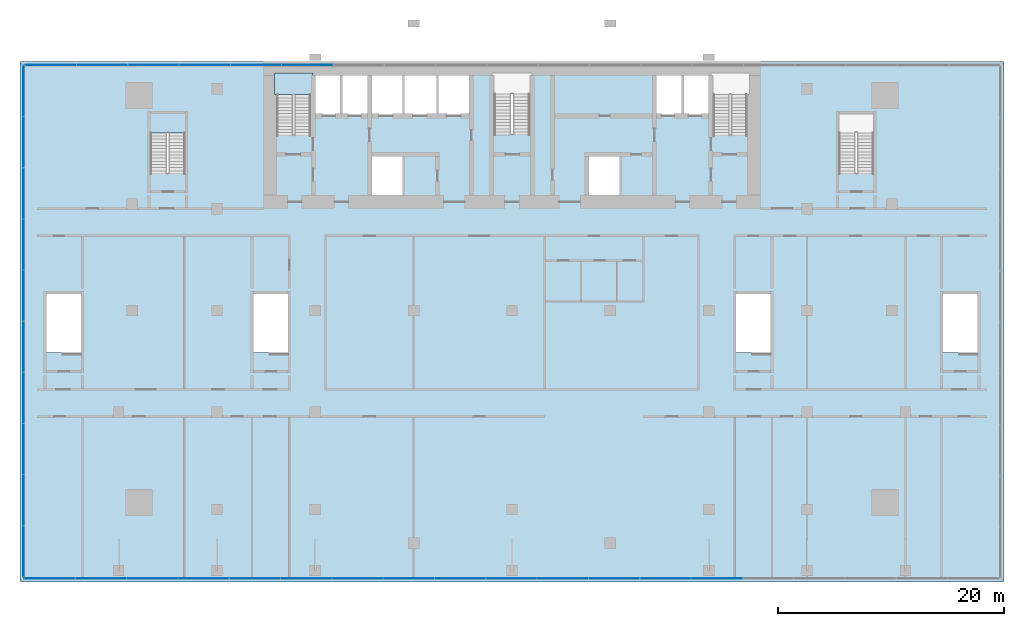
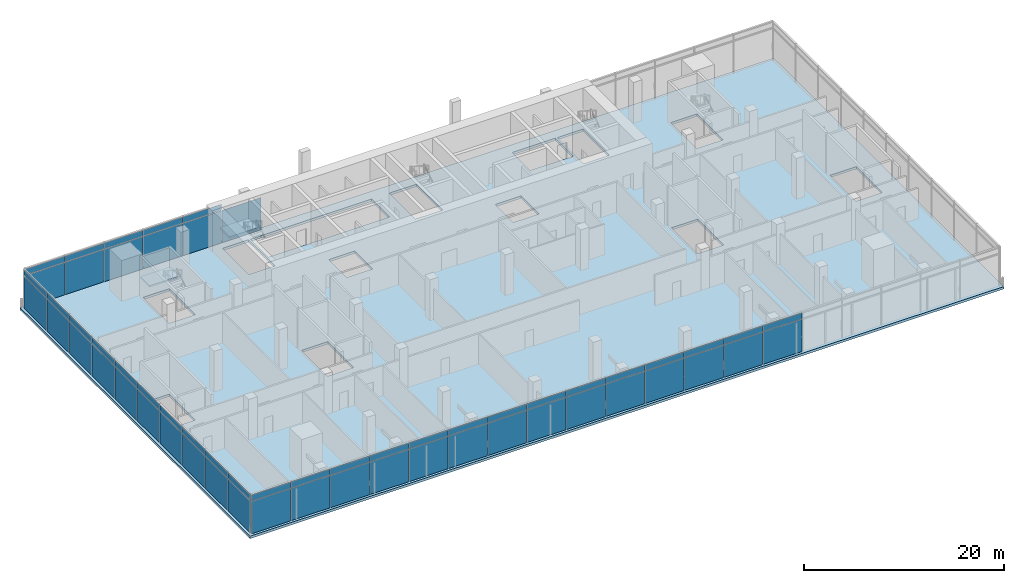
# One storey, part 9 of 17: 59 plates, 3 slabs, 5 elements without a shape of their own.
"""IFC4 building model written with IfcOpenShell, lengths in metres."""

import ifcopenshell
import ifcopenshell.guid

model = None  # the IFC model being written
_history = None  # IfcOwnerHistory: only IFC2X3 demands one
_inside = {}  # id of a spatial element -> (the spatial element, [elements in it])
_under = {}  # id of a project, library or spatial element -> (it, [spatial elements below it])
_declared = {}  # id of a project -> (the project, [libraries it declares])
_typed = {}  # id of a type object -> (the type object, [elements of that type])
_made_of = {}  # id of a material, layer set ... -> (it, [elements and type objects made of it])


def new_model(schema):
    """Start an empty IFC model of exactly this schema.

    Asked for "IFC4X3", IfcOpenShell would pick the latest addendum, in which some entities
    have other attributes; the version numbers below select the first issue.
    IFC2X3 requires an IfcOwnerHistory on every rooted entity: one is made here for all.
    """
    global model, _history
    if schema == "IFC4X3":
        model = ifcopenshell.file(schema_version=(4, 3, 0, 0))
    else:
        model = ifcopenshell.file(schema=schema)
    _inside.clear()
    _under.clear()
    _declared.clear()
    _typed.clear()
    _made_of.clear()
    _history = None
    if model.schema == "IFC2X3":
        org = make("IfcOrganization", Name="unknown")
        user = make(
            "IfcPersonAndOrganization",
            ThePerson=make("IfcPerson", FamilyName="unknown"),
            TheOrganization=org,
        )
        app = make(
            "IfcApplication",
            ApplicationDeveloper=org,
            Version="unknown",
            ApplicationFullName="unknown",
            ApplicationIdentifier="unknown",
        )
        _history = make(
            "IfcOwnerHistory",
            OwningUser=user,
            OwningApplication=app,
            ChangeAction="ADDED",
            CreationDate=0,
        )
    return model


def make(cls, **values):
    """One entity of the class cls with the attributes given. An attribute that is None is left unset."""
    return model.create_entity(
        cls, **{name: value for name, value in values.items() if value is not None}
    )


def rooted(cls, **values):
    """An entity with a GlobalId (a new one), such as an element, a storey or a relation."""
    return make(cls, GlobalId=ifcopenshell.guid.new(), OwnerHistory=_history, **values)


def si_unit(unit_type, name, prefix=None):
    """IfcSIUnit, for example si_unit("LENGTHUNIT", "METRE", prefix="MILLI")."""
    return make("IfcSIUnit", UnitType=unit_type, Prefix=prefix, Name=name)


def assignment(units):
    """IfcUnitAssignment: the units of a project."""
    return None if units is None else make("IfcUnitAssignment", Units=units)


def point(xyz):
    """IfcCartesianPoint."""
    return None if xyz is None else make("IfcCartesianPoint", Coordinates=xyz)


def direction(xyz):
    """IfcDirection."""
    return None if xyz is None else make("IfcDirection", DirectionRatios=xyz)


def frame(location, z_axis=None, x_axis=None):
    """IfcAxis2Placement3D, a coordinate frame: its origin and axes. An axis left out is left unset."""
    return make(
        "IfcAxis2Placement3D",
        Location=point(location),
        Axis=direction(z_axis),
        RefDirection=direction(x_axis),
    )


def frame_2d(location, x_axis=None):
    """IfcAxis2Placement2D, a coordinate frame in the plane: its origin and x axis."""
    return make(
        "IfcAxis2Placement2D", Location=point(location), RefDirection=direction(x_axis)
    )


def origin():
    """The frame at (0, 0, 0) with its axes left unset."""
    return frame((0.0, 0.0, 0.0))


def origin_2d():
    """The frame at (0, 0) in the plane with its x axis left unset."""
    return frame_2d((0.0, 0.0))


def place(relative_to, where):
    """IfcLocalPlacement: puts the frame where relative to a parent placement (None: the world)."""
    return make(
        "IfcLocalPlacement", PlacementRelTo=relative_to, RelativePlacement=where
    )


def context(
    kind, dimensions, precision=None, world=None, true_north=None, identifier=None
):
    """IfcGeometricRepresentationContext, for example the 3D "Model" context."""
    return make(
        "IfcGeometricRepresentationContext",
        ContextIdentifier=identifier,
        ContextType=kind,
        CoordinateSpaceDimension=dimensions,
        Precision=precision,
        WorldCoordinateSystem=world,
        TrueNorth=true_north,
    )


def subcontext(parent, identifier, kind, view, scale=None):
    """IfcGeometricRepresentationSubContext, for example "Body" below "Model"."""
    return make(
        "IfcGeometricRepresentationSubContext",
        ContextIdentifier=identifier,
        ContextType=kind,
        ParentContext=parent,
        TargetScale=scale,
        TargetView=view,
    )


def project(units=None, contexts=None):
    """IfcProject with its units and contexts."""
    return rooted(
        "IfcProject",
        Name="project",
        RepresentationContexts=contexts,
        UnitsInContext=assignment(units),
    )


def spatial(cls, under=None, at=None, **own):
    """A site, building, storey or space (cls), placed at a placement, below another one or the project."""
    s = rooted(cls, ObjectPlacement=at, **own)
    if under is not None:
        _under.setdefault(under.id(), (under, []))[1].append(s)
    return s


def polyline(points):
    """IfcPolyline through the points."""
    return make("IfcPolyline", Points=[point(p) for p in points])


def profile(cls, at=None, kind="AREA", **sizes):
    """A parametric profile (cls). Its sizes go by their IFC names, for example OverallWidth=200.0."""
    return make(cls, ProfileType=kind, Position=at, **sizes)


def rectangle(**sizes):
    """IfcRectangleProfileDef."""
    return profile("IfcRectangleProfileDef", **sizes)


def outline(outer, holes=None, kind="AREA"):
    """IfcArbitraryClosedProfileDef: a profile drawn as a closed curve; with holes, ...WithVoids."""
    if holes is None:
        return make("IfcArbitraryClosedProfileDef", ProfileType=kind, OuterCurve=outer)
    return make(
        "IfcArbitraryProfileDefWithVoids",
        ProfileType=kind,
        OuterCurve=outer,
        InnerCurves=holes,
    )


def extrude(swept, where, along, depth):
    """IfcExtrudedAreaSolid: the profile swept, set in the frame where, extruded along a direction by depth."""
    return make(
        "IfcExtrudedAreaSolid",
        SweptArea=swept,
        Position=where,
        ExtrudedDirection=direction(along),
        Depth=depth,
    )


def shape(context_of_items, identifier, shape_type, items):
    """IfcShapeRepresentation: the items that make up one representation, for example the "Body"."""
    return make(
        "IfcShapeRepresentation",
        ContextOfItems=context_of_items,
        RepresentationIdentifier=identifier,
        RepresentationType=shape_type,
        Items=items,
    )


def material(Name=None, Category=None):
    """IfcMaterial."""
    return make("IfcMaterial", Name=Name, Category=Category)


def layer(
    of_material, thickness, ventilated=None, Name=None, Category=None, Priority=None
):
    """IfcMaterialLayer: one layer of a wall or slab, of a material (None: an air gap)."""
    return make(
        "IfcMaterialLayer",
        Material=of_material,
        LayerThickness=thickness,
        IsVentilated=ventilated,
        Name=Name,
        Category=Category,
        Priority=Priority,
    )


def layer_set(layers, Name=None):
    """IfcMaterialLayerSet."""
    return make("IfcMaterialLayerSet", MaterialLayers=layers, LayerSetName=Name)


def made_of(thing, what):
    """Note that an element or type object is made of a material, layer set ...; save() writes the relation."""
    if what is not None:
        _made_of.setdefault(what.id(), (what, []))[1].append(thing)
    return thing


def type_object(cls, material=None, **own):
    """A type object (cls), such as IfcWallType, which elements share."""
    return made_of(rooted(cls, **own), material)


def element(
    cls,
    number,
    at=None,
    inside=None,
    cuts=None,
    type_object=None,
    material=None,
    context=None,
    identifier="Body",
    shape_type=None,
    held_by="IfcProductDefinitionShape",
    body=None,
    shapes=None,
    **own,
):
    """One element of the class cls, such as IfcWall. Its Tag is "e" and its number.

    at: its placement. inside: the storey or other place that contains it. cuts: it is an
    opening in that element (IfcRelVoidsElement). A single representation is given by context,
    identifier, shape_type and body (its items); several are given by shapes. held_by: the class
    of the entity that holds the representations. save() writes the other relations.
    """
    e = rooted(cls, Tag="e%d" % number, ObjectPlacement=at, **own)
    if body is not None:
        shapes = [shape(context, identifier, shape_type, body)]
    if shapes is not None:
        e.Representation = make(held_by, Representations=shapes)
    if inside is not None:
        _inside.setdefault(inside.id(), (inside, []))[1].append(e)
    if cuts is not None:
        rooted(
            "IfcRelVoidsElement", RelatingBuildingElement=cuts, RelatedOpeningElement=e
        )
    if type_object is not None:
        _typed.setdefault(type_object.id(), (type_object, []))[1].append(e)
    return made_of(e, material)


def aggregate(whole, parts):
    """IfcRelAggregates: a whole, such as a stair, and the parts it consists of."""
    return rooted("IfcRelAggregates", RelatingObject=whole, RelatedObjects=parts)


def save(model, path):
    """Write the relations noted so far, then the file.

    IfcRelAggregates (storeys below a building ...), IfcRelContainedInSpatialStructure (elements
    in a storey), IfcRelDefinesByType, IfcRelAssociatesMaterial and IfcRelDeclares: one each for
    every whole, place, type object, material and project.
    """
    for whole, parts in _under.values():
        aggregate(whole, parts)
    for where, things in _inside.values():
        rooted(
            "IfcRelContainedInSpatialStructure",
            RelatedElements=things,
            RelatingStructure=where,
        )
    for kind, things in _typed.values():
        rooted("IfcRelDefinesByType", RelatedObjects=things, RelatingType=kind)
    for what, things in _made_of.values():
        rooted("IfcRelAssociatesMaterial", RelatedObjects=things, RelatingMaterial=what)
    for by, libraries in _declared.values():
        rooted("IfcRelDeclares", RelatingContext=by, RelatedDefinitions=libraries)
    model.write(path)


model = new_model("IFC4")

# Units and contexts
model_context = context("Model", 3, precision=1e-05, world=origin(), true_north=direction((0.0, 1.0)))
body_context = subcontext(model_context, "Body", "Model", "MODEL_VIEW")
ifc_project = project(units=[si_unit("LENGTHUNIT", "METRE"), si_unit("AREAUNIT", "SQUARE_METRE"), si_unit("VOLUMEUNIT", "CUBIC_METRE"), si_unit("PLANEANGLEUNIT", "RADIAN"), si_unit("MASSUNIT", "GRAM", prefix="KILO")], contexts=[model_context])

# Site, building, storey
site_placement = place(None, origin())
site = spatial("IfcSite", under=ifc_project, at=site_placement, CompositionType="ELEMENT")
building_placement = place(site_placement, origin())
building = spatial("IfcBuilding", under=site, at=building_placement, Name="Bicima Exchange Tower", CompositionType="ELEMENT")
storey_placement = place(building_placement, frame((0.0, 0.0, 30.0)))
storey = spatial("IfcBuildingStorey", under=building, at=storey_placement, Name="L05", CompositionType="ELEMENT", Elevation=30.0)

# Curtain wall, plates
ifc_material_1 = material(Name="Anodised bronze aluminium", Category="aluminium")
curtain_wall_type = type_object("IfcCurtainWallType", Name="Lobby glazing", PredefinedType="NOTDEFINED", material=ifc_material_1)
curtain_wall_1_placement = place(storey_placement, origin())
curtain_wall_1 = element("IfcCurtainWall", 1, at=curtain_wall_1_placement, inside=storey, type_object=curtain_wall_type, Name="Podium glazing L05 south 1", PredefinedType="NOTDEFINED")
ifc_material_2 = material(Name="Clear low-iron glass", Category="glass")
ifc_layer_1 = layer(ifc_material_2, 0.035888671875)
ifc_layer_set_1 = layer_set([ifc_layer_1], Name="Clear low-iron glass")
plate_type = type_object("IfcPlateType", Name="Lobby glazing glass panel 36", PredefinedType="CURTAIN_PANEL", material=ifc_layer_set_1)
plate_1_placement = place(storey_placement, frame((-40.900390625, -45.699951171875, 0.0), z_axis=(0.0, 0.0, 1.0), x_axis=(1.0, 0.0, 0.0)))
plate_1 = element("IfcPlate", 2, at=plate_1_placement, type_object=plate_type, Name="Lobby glazing panel 1.1", PredefinedType="CURTAIN_PANEL", context=body_context, shape_type="SweptSolid", body=[
    extrude(rectangle(XDim=4.47900390625, YDim=0.035888671875, at=origin_2d()), origin(), (0.0, 0.0, 1.0), 3.929931640625),
])
plate_2_placement = place(storey_placement, frame((-40.900390625, -45.699951171875, 4.0), z_axis=(0.0, 0.0, 1.0), x_axis=(1.0, 0.0, 0.0)))
plate_2 = element("IfcPlate", 3, at=plate_2_placement, type_object=plate_type, Name="Lobby glazing panel 1.2", PredefinedType="CURTAIN_PANEL", context=body_context, shape_type="SweptSolid", body=[
    extrude(rectangle(XDim=4.47900390625, YDim=0.035888671875, at=origin_2d()), origin(), (0.0, 0.0, 1.0), 0.7099609375),
])
plate_3_placement = place(storey_placement, frame((-36.361572265625, -45.699951171875, 0.0), z_axis=(0.0, 0.0, 1.0), x_axis=(1.0, 0.0, 0.0)))
plate_3 = element("IfcPlate", 4, at=plate_3_placement, type_object=plate_type, Name="Lobby glazing panel 2.1", PredefinedType="CURTAIN_PANEL", context=body_context, shape_type="SweptSolid", body=[
    extrude(rectangle(XDim=4.47900390625, YDim=0.035888671875, at=origin_2d()), origin(), (0.0, 0.0, 1.0), 3.929931640625),
])
plate_4_placement = place(storey_placement, frame((-36.361572265625, -45.699951171875, 4.0), z_axis=(0.0, 0.0, 1.0), x_axis=(1.0, 0.0, 0.0)))
plate_4 = element("IfcPlate", 5, at=plate_4_placement, type_object=plate_type, Name="Lobby glazing panel 2.2", PredefinedType="CURTAIN_PANEL", context=body_context, shape_type="SweptSolid", body=[
    extrude(rectangle(XDim=4.47900390625, YDim=0.035888671875, at=origin_2d()), origin(), (0.0, 0.0, 1.0), 0.7099609375),
])
plate_5_placement = place(storey_placement, frame((-31.822509765625, -45.699951171875, 0.0), z_axis=(0.0, 0.0, 1.0), x_axis=(1.0, 0.0, 0.0)))
plate_5 = element("IfcPlate", 6, at=plate_5_placement, type_object=plate_type, Name="Lobby glazing panel 3.1", PredefinedType="CURTAIN_PANEL", context=body_context, shape_type="SweptSolid", body=[
    extrude(rectangle(XDim=4.47900390625, YDim=0.035888671875, at=origin_2d()), origin(), (0.0, 0.0, 1.0), 3.929931640625),
])
plate_6_placement = place(storey_placement, frame((-31.822509765625, -45.699951171875, 4.0), z_axis=(0.0, 0.0, 1.0), x_axis=(1.0, 0.0, 0.0)))
plate_6 = element("IfcPlate", 7, at=plate_6_placement, type_object=plate_type, Name="Lobby glazing panel 3.2", PredefinedType="CURTAIN_PANEL", context=body_context, shape_type="SweptSolid", body=[
    extrude(rectangle(XDim=4.47900390625, YDim=0.035888671875, at=origin_2d()), origin(), (0.0, 0.0, 1.0), 0.7099609375),
])
plate_7_placement = place(storey_placement, frame((-27.28369140625, -45.699951171875, 0.0), z_axis=(0.0, 0.0, 1.0), x_axis=(1.0, 0.0, 0.0)))
plate_7 = element("IfcPlate", 8, at=plate_7_placement, type_object=plate_type, Name="Lobby glazing panel 4.1", PredefinedType="CURTAIN_PANEL", context=body_context, shape_type="SweptSolid", body=[
    extrude(rectangle(XDim=4.47900390625, YDim=0.035888671875, at=origin_2d()), origin(), (0.0, 0.0, 1.0), 3.929931640625),
])
plate_8_placement = place(storey_placement, frame((-27.28369140625, -45.699951171875, 4.0), z_axis=(0.0, 0.0, 1.0), x_axis=(1.0, 0.0, 0.0)))
plate_8 = element("IfcPlate", 9, at=plate_8_placement, type_object=plate_type, Name="Lobby glazing panel 4.2", PredefinedType="CURTAIN_PANEL", context=body_context, shape_type="SweptSolid", body=[
    extrude(rectangle(XDim=4.47900390625, YDim=0.035888671875, at=origin_2d()), origin(), (0.0, 0.0, 1.0), 0.7099609375),
])
plate_9_placement = place(storey_placement, frame((-22.74462890625, -45.699951171875, 0.0), z_axis=(0.0, 0.0, 1.0), x_axis=(1.0, 0.0, 0.0)))
plate_9 = element("IfcPlate", 10, at=plate_9_placement, type_object=plate_type, Name="Lobby glazing panel 5.1", PredefinedType="CURTAIN_PANEL", context=body_context, shape_type="SweptSolid", body=[
    extrude(rectangle(XDim=4.47900390625, YDim=0.035888671875, at=origin_2d()), origin(), (0.0, 0.0, 1.0), 3.929931640625),
])
plate_10_placement = place(storey_placement, frame((-22.74462890625, -45.699951171875, 4.0), z_axis=(0.0, 0.0, 1.0), x_axis=(1.0, 0.0, 0.0)))
plate_10 = element("IfcPlate", 11, at=plate_10_placement, type_object=plate_type, Name="Lobby glazing panel 5.2", PredefinedType="CURTAIN_PANEL", context=body_context, shape_type="SweptSolid", body=[
    extrude(rectangle(XDim=4.47900390625, YDim=0.035888671875, at=origin_2d()), origin(), (0.0, 0.0, 1.0), 0.7099609375),
])
plate_11_placement = place(storey_placement, frame((-18.205810546875, -45.699951171875, 0.0), z_axis=(0.0, 0.0, 1.0), x_axis=(1.0, 0.0, 0.0)))
plate_11 = element("IfcPlate", 12, at=plate_11_placement, type_object=plate_type, Name="Lobby glazing panel 6.1", PredefinedType="CURTAIN_PANEL", context=body_context, shape_type="SweptSolid", body=[
    extrude(rectangle(XDim=4.47900390625, YDim=0.035888671875, at=origin_2d()), origin(), (0.0, 0.0, 1.0), 3.929931640625),
])
plate_12_placement = place(storey_placement, frame((-18.205810546875, -45.699951171875, 4.0), z_axis=(0.0, 0.0, 1.0), x_axis=(1.0, 0.0, 0.0)))
plate_12 = element("IfcPlate", 13, at=plate_12_placement, type_object=plate_type, Name="Lobby glazing panel 6.2", PredefinedType="CURTAIN_PANEL", context=body_context, shape_type="SweptSolid", body=[
    extrude(rectangle(XDim=4.47900390625, YDim=0.035888671875, at=origin_2d()), origin(), (0.0, 0.0, 1.0), 0.7099609375),
])
plate_13_placement = place(storey_placement, frame((-13.666748046875, -45.699951171875, 0.0), z_axis=(0.0, 0.0, 1.0), x_axis=(1.0, 0.0, 0.0)))
plate_13 = element("IfcPlate", 14, at=plate_13_placement, type_object=plate_type, Name="Lobby glazing panel 7.1", PredefinedType="CURTAIN_PANEL", context=body_context, shape_type="SweptSolid", body=[
    extrude(rectangle(XDim=4.47900390625, YDim=0.035888671875, at=origin_2d()), origin(), (0.0, 0.0, 1.0), 3.929931640625),
])
plate_14_placement = place(storey_placement, frame((-13.666748046875, -45.699951171875, 4.0), z_axis=(0.0, 0.0, 1.0), x_axis=(1.0, 0.0, 0.0)))
plate_14 = element("IfcPlate", 15, at=plate_14_placement, type_object=plate_type, Name="Lobby glazing panel 7.2", PredefinedType="CURTAIN_PANEL", context=body_context, shape_type="SweptSolid", body=[
    extrude(rectangle(XDim=4.47900390625, YDim=0.035888671875, at=origin_2d()), origin(), (0.0, 0.0, 1.0), 0.7099609375),
])
plate_15_placement = place(storey_placement, frame((-9.1279296875, -45.699951171875, 0.0), z_axis=(0.0, 0.0, 1.0), x_axis=(1.0, 0.0, 0.0)))
plate_15 = element("IfcPlate", 16, at=plate_15_placement, type_object=plate_type, Name="Lobby glazing panel 8.1", PredefinedType="CURTAIN_PANEL", context=body_context, shape_type="SweptSolid", body=[
    extrude(rectangle(XDim=4.47900390625, YDim=0.035888671875, at=origin_2d()), origin(), (0.0, 0.0, 1.0), 3.929931640625),
])
plate_16_placement = place(storey_placement, frame((-9.1279296875, -45.699951171875, 4.0), z_axis=(0.0, 0.0, 1.0), x_axis=(1.0, 0.0, 0.0)))
plate_16 = element("IfcPlate", 17, at=plate_16_placement, type_object=plate_type, Name="Lobby glazing panel 8.2", PredefinedType="CURTAIN_PANEL", context=body_context, shape_type="SweptSolid", body=[
    extrude(rectangle(XDim=4.47900390625, YDim=0.035888671875, at=origin_2d()), origin(), (0.0, 0.0, 1.0), 0.7099609375),
])
plate_17_placement = place(storey_placement, frame((-4.5888671875, -45.699951171875, 0.0), z_axis=(0.0, 0.0, 1.0), x_axis=(1.0, 0.0, 0.0)))
plate_17 = element("IfcPlate", 18, at=plate_17_placement, type_object=plate_type, Name="Lobby glazing panel 9.1", PredefinedType="CURTAIN_PANEL", context=body_context, shape_type="SweptSolid", body=[
    extrude(rectangle(XDim=4.47900390625, YDim=0.035888671875, at=origin_2d()), origin(), (0.0, 0.0, 1.0), 3.929931640625),
])
plate_18_placement = place(storey_placement, frame((-4.5888671875, -45.699951171875, 4.0), z_axis=(0.0, 0.0, 1.0), x_axis=(1.0, 0.0, 0.0)))
plate_18 = element("IfcPlate", 19, at=plate_18_placement, type_object=plate_type, Name="Lobby glazing panel 9.2", PredefinedType="CURTAIN_PANEL", context=body_context, shape_type="SweptSolid", body=[
    extrude(rectangle(XDim=4.47900390625, YDim=0.035888671875, at=origin_2d()), origin(), (0.0, 0.0, 1.0), 0.7099609375),
])
plate_19_placement = place(storey_placement, frame((-0.050048828125, -45.699951171875, 0.0), z_axis=(0.0, 0.0, 1.0), x_axis=(1.0, 0.0, 0.0)))
plate_19 = element("IfcPlate", 20, at=plate_19_placement, type_object=plate_type, Name="Lobby glazing panel 10.1", PredefinedType="CURTAIN_PANEL", context=body_context, shape_type="SweptSolid", body=[
    extrude(rectangle(XDim=4.47900390625, YDim=0.035888671875, at=origin_2d()), origin(), (0.0, 0.0, 1.0), 3.929931640625),
])
plate_20_placement = place(storey_placement, frame((-0.050048828125, -45.699951171875, 4.0), z_axis=(0.0, 0.0, 1.0), x_axis=(1.0, 0.0, 0.0)))
plate_20 = element("IfcPlate", 21, at=plate_20_placement, type_object=plate_type, Name="Lobby glazing panel 10.2", PredefinedType="CURTAIN_PANEL", context=body_context, shape_type="SweptSolid", body=[
    extrude(rectangle(XDim=4.47900390625, YDim=0.035888671875, at=origin_2d()), origin(), (0.0, 0.0, 1.0), 0.7099609375),
])
plate_21_placement = place(storey_placement, frame((4.489013671875, -45.699951171875, 0.0), z_axis=(0.0, 0.0, 1.0), x_axis=(1.0, 0.0, 0.0)))
plate_21 = element("IfcPlate", 22, at=plate_21_placement, type_object=plate_type, Name="Lobby glazing panel 11.1", PredefinedType="CURTAIN_PANEL", context=body_context, shape_type="SweptSolid", body=[
    extrude(rectangle(XDim=4.47900390625, YDim=0.035888671875, at=origin_2d()), origin(), (0.0, 0.0, 1.0), 3.929931640625),
])
plate_22_placement = place(storey_placement, frame((4.489013671875, -45.699951171875, 4.0), z_axis=(0.0, 0.0, 1.0), x_axis=(1.0, 0.0, 0.0)))
plate_22 = element("IfcPlate", 23, at=plate_22_placement, type_object=plate_type, Name="Lobby glazing panel 11.2", PredefinedType="CURTAIN_PANEL", context=body_context, shape_type="SweptSolid", body=[
    extrude(rectangle(XDim=4.47900390625, YDim=0.035888671875, at=origin_2d()), origin(), (0.0, 0.0, 1.0), 0.7099609375),
])
plate_23_placement = place(storey_placement, frame((9.02783203125, -45.699951171875, 0.0), z_axis=(0.0, 0.0, 1.0), x_axis=(1.0, 0.0, 0.0)))
plate_23 = element("IfcPlate", 24, at=plate_23_placement, type_object=plate_type, Name="Lobby glazing panel 12.1", PredefinedType="CURTAIN_PANEL", context=body_context, shape_type="SweptSolid", body=[
    extrude(rectangle(XDim=4.47900390625, YDim=0.035888671875, at=origin_2d()), origin(), (0.0, 0.0, 1.0), 3.929931640625),
])
plate_24_placement = place(storey_placement, frame((9.02783203125, -45.699951171875, 4.0), z_axis=(0.0, 0.0, 1.0), x_axis=(1.0, 0.0, 0.0)))
plate_24 = element("IfcPlate", 25, at=plate_24_placement, type_object=plate_type, Name="Lobby glazing panel 12.2", PredefinedType="CURTAIN_PANEL", context=body_context, shape_type="SweptSolid", body=[
    extrude(rectangle(XDim=4.47900390625, YDim=0.035888671875, at=origin_2d()), origin(), (0.0, 0.0, 1.0), 0.7099609375),
])
plate_25_placement = place(storey_placement, frame((13.56689453125, -45.699951171875, 0.0), z_axis=(0.0, 0.0, 1.0), x_axis=(1.0, 0.0, 0.0)))
plate_25 = element("IfcPlate", 26, at=plate_25_placement, type_object=plate_type, Name="Lobby glazing panel 13.1", PredefinedType="CURTAIN_PANEL", context=body_context, shape_type="SweptSolid", body=[
    extrude(rectangle(XDim=4.47900390625, YDim=0.035888671875, at=origin_2d()), origin(), (0.0, 0.0, 1.0), 3.929931640625),
])
plate_26_placement = place(storey_placement, frame((13.56689453125, -45.699951171875, 4.0), z_axis=(0.0, 0.0, 1.0), x_axis=(1.0, 0.0, 0.0)))
plate_26 = element("IfcPlate", 27, at=plate_26_placement, type_object=plate_type, Name="Lobby glazing panel 13.2", PredefinedType="CURTAIN_PANEL", context=body_context, shape_type="SweptSolid", body=[
    extrude(rectangle(XDim=4.47900390625, YDim=0.035888671875, at=origin_2d()), origin(), (0.0, 0.0, 1.0), 0.7099609375),
])
plate_27_placement = place(storey_placement, frame((18.105712890625, -45.699951171875, 0.0), z_axis=(0.0, 0.0, 1.0), x_axis=(1.0, 0.0, 0.0)))
plate_27 = element("IfcPlate", 28, at=plate_27_placement, type_object=plate_type, Name="Lobby glazing panel 14.1", PredefinedType="CURTAIN_PANEL", context=body_context, shape_type="SweptSolid", body=[
    extrude(rectangle(XDim=4.47900390625, YDim=0.035888671875, at=origin_2d()), origin(), (0.0, 0.0, 1.0), 3.929931640625),
])
plate_28_placement = place(storey_placement, frame((18.105712890625, -45.699951171875, 4.0), z_axis=(0.0, 0.0, 1.0), x_axis=(1.0, 0.0, 0.0)))
plate_28 = element("IfcPlate", 29, at=plate_28_placement, type_object=plate_type, Name="Lobby glazing panel 14.2", PredefinedType="CURTAIN_PANEL", context=body_context, shape_type="SweptSolid", body=[
    extrude(rectangle(XDim=4.47900390625, YDim=0.035888671875, at=origin_2d()), origin(), (0.0, 0.0, 1.0), 0.7099609375),
])
aggregate(curtain_wall_1, [plate_1, plate_2, plate_3, plate_4, plate_5, plate_6, plate_7, plate_8, plate_9, plate_10, plate_11, plate_12, plate_13, plate_14, plate_15, plate_16, plate_17, plate_18, plate_19, plate_20, plate_21, plate_22, plate_23, plate_24, plate_25, plate_26, plate_27, plate_28])

curtain_wall_2_placement = place(storey_placement, origin())
curtain_wall_2 = element("IfcCurtainWall", 30, at=curtain_wall_2_placement, inside=storey, type_object=curtain_wall_type, Name="Podium glazing L05 north 1", PredefinedType="NOTDEFINED")
plate_29_placement = place(storey_placement, frame((-18.105712890625, -0.300048828125, 0.0), z_axis=(0.0, 0.0, 1.0), x_axis=(-1.0, 0.0, 0.0)))
plate_29 = element("IfcPlate", 31, at=plate_29_placement, type_object=plate_type, Name="Lobby glazing panel 14.1", PredefinedType="CURTAIN_PANEL", context=body_context, shape_type="SweptSolid", body=[
    extrude(rectangle(XDim=4.47900390625, YDim=0.035888671875, at=origin_2d()), origin(), (0.0, 0.0, 1.0), 3.929931640625),
])
plate_30_placement = place(storey_placement, frame((-22.644775390625, -0.300048828125, 0.0), z_axis=(0.0, 0.0, 1.0), x_axis=(-1.0, 0.0, 0.0)))
plate_30 = element("IfcPlate", 32, at=plate_30_placement, type_object=plate_type, Name="Lobby glazing panel 15.1", PredefinedType="CURTAIN_PANEL", context=body_context, shape_type="SweptSolid", body=[
    extrude(rectangle(XDim=4.47900390625, YDim=0.035888671875, at=origin_2d()), origin(), (0.0, 0.0, 1.0), 3.929931640625),
])
plate_31_placement = place(storey_placement, frame((-22.644775390625, -0.300048828125, 4.0), z_axis=(0.0, 0.0, 1.0), x_axis=(-1.0, 0.0, 0.0)))
plate_31 = element("IfcPlate", 33, at=plate_31_placement, type_object=plate_type, Name="Lobby glazing panel 15.2", PredefinedType="CURTAIN_PANEL", context=body_context, shape_type="SweptSolid", body=[
    extrude(rectangle(XDim=4.47900390625, YDim=0.035888671875, at=origin_2d()), origin(), (0.0, 0.0, 1.0), 0.7099609375),
])
plate_32_placement = place(storey_placement, frame((-27.18359375, -0.300048828125, 0.0), z_axis=(0.0, 0.0, 1.0), x_axis=(-1.0, 0.0, 0.0)))
plate_32 = element("IfcPlate", 34, at=plate_32_placement, type_object=plate_type, Name="Lobby glazing panel 16.1", PredefinedType="CURTAIN_PANEL", context=body_context, shape_type="SweptSolid", body=[
    extrude(rectangle(XDim=4.47900390625, YDim=0.035888671875, at=origin_2d()), origin(), (0.0, 0.0, 1.0), 3.929931640625),
])
plate_33_placement = place(storey_placement, frame((-27.18359375, -0.300048828125, 4.0), z_axis=(0.0, 0.0, 1.0), x_axis=(-1.0, 0.0, 0.0)))
plate_33 = element("IfcPlate", 35, at=plate_33_placement, type_object=plate_type, Name="Lobby glazing panel 16.2", PredefinedType="CURTAIN_PANEL", context=body_context, shape_type="SweptSolid", body=[
    extrude(rectangle(XDim=4.47900390625, YDim=0.035888671875, at=origin_2d()), origin(), (0.0, 0.0, 1.0), 0.7099609375),
])
plate_34_placement = place(storey_placement, frame((-31.72265625, -0.300048828125, 0.0), z_axis=(0.0, 0.0, 1.0), x_axis=(-1.0, 0.0, 0.0)))
plate_34 = element("IfcPlate", 36, at=plate_34_placement, type_object=plate_type, Name="Lobby glazing panel 17.1", PredefinedType="CURTAIN_PANEL", context=body_context, shape_type="SweptSolid", body=[
    extrude(rectangle(XDim=4.47900390625, YDim=0.035888671875, at=origin_2d()), origin(), (0.0, 0.0, 1.0), 3.929931640625),
])
plate_35_placement = place(storey_placement, frame((-31.72265625, -0.300048828125, 4.0), z_axis=(0.0, 0.0, 1.0), x_axis=(-1.0, 0.0, 0.0)))
plate_35 = element("IfcPlate", 37, at=plate_35_placement, type_object=plate_type, Name="Lobby glazing panel 17.2", PredefinedType="CURTAIN_PANEL", context=body_context, shape_type="SweptSolid", body=[
    extrude(rectangle(XDim=4.47900390625, YDim=0.035888671875, at=origin_2d()), origin(), (0.0, 0.0, 1.0), 0.7099609375),
])
plate_36_placement = place(storey_placement, frame((-36.26171875, -0.300048828125, 0.0), z_axis=(0.0, 0.0, 1.0), x_axis=(-1.0, 0.0, 0.0)))
plate_36 = element("IfcPlate", 38, at=plate_36_placement, type_object=plate_type, Name="Lobby glazing panel 18.1", PredefinedType="CURTAIN_PANEL", context=body_context, shape_type="SweptSolid", body=[
    extrude(rectangle(XDim=4.47900390625, YDim=0.035888671875, at=origin_2d()), origin(), (0.0, 0.0, 1.0), 3.929931640625),
])
plate_37_placement = place(storey_placement, frame((-36.26171875, -0.300048828125, 4.0), z_axis=(0.0, 0.0, 1.0), x_axis=(-1.0, 0.0, 0.0)))
plate_37 = element("IfcPlate", 39, at=plate_37_placement, type_object=plate_type, Name="Lobby glazing panel 18.2", PredefinedType="CURTAIN_PANEL", context=body_context, shape_type="SweptSolid", body=[
    extrude(rectangle(XDim=4.47900390625, YDim=0.035888671875, at=origin_2d()), origin(), (0.0, 0.0, 1.0), 0.7099609375),
])
plate_38_placement = place(storey_placement, frame((-40.800537109375, -0.300048828125, 0.0), z_axis=(0.0, 0.0, 1.0), x_axis=(-1.0, 0.0, 0.0)))
plate_38 = element("IfcPlate", 40, at=plate_38_placement, type_object=plate_type, Name="Lobby glazing panel 19.1", PredefinedType="CURTAIN_PANEL", context=body_context, shape_type="SweptSolid", body=[
    extrude(rectangle(XDim=4.47900390625, YDim=0.035888671875, at=origin_2d()), origin(), (0.0, 0.0, 1.0), 3.929931640625),
])
plate_39_placement = place(storey_placement, frame((-40.800537109375, -0.300048828125, 4.0), z_axis=(0.0, 0.0, 1.0), x_axis=(-1.0, 0.0, 0.0)))
plate_39 = element("IfcPlate", 41, at=plate_39_placement, type_object=plate_type, Name="Lobby glazing panel 19.2", PredefinedType="CURTAIN_PANEL", context=body_context, shape_type="SweptSolid", body=[
    extrude(rectangle(XDim=4.47900390625, YDim=0.035888671875, at=origin_2d()), origin(), (0.0, 0.0, 1.0), 0.7099609375),
])
aggregate(curtain_wall_2, [plate_29, plate_30, plate_31, plate_32, plate_33, plate_34, plate_35, plate_36, plate_37, plate_38, plate_39])

curtain_wall_3_placement = place(storey_placement, origin())
curtain_wall_3 = element("IfcCurtainWall", 42, at=curtain_wall_3_placement, inside=storey, type_object=curtain_wall_type, Name="Podium glazing L05 west 1", PredefinedType="NOTDEFINED")
plate_40_placement = place(storey_placement, frame((-43.199951171875, -2.592041015625, 0.0), z_axis=(0.0, 0.0, 1.0), x_axis=(0.0, -1.0, 0.0)))
plate_40 = element("IfcPlate", 43, at=plate_40_placement, type_object=plate_type, Name="Lobby glazing panel 1.1", PredefinedType="CURTAIN_PANEL", context=body_context, shape_type="SweptSolid", body=[
    extrude(rectangle(XDim=4.464111328125, YDim=0.035888671875, at=origin_2d()), origin(), (0.0, 0.0, 1.0), 3.929931640625),
])
plate_41_placement = place(storey_placement, frame((-43.199951171875, -2.592041015625, 4.0), z_axis=(0.0, 0.0, 1.0), x_axis=(0.0, -1.0, 0.0)))
plate_41 = element("IfcPlate", 44, at=plate_41_placement, type_object=plate_type, Name="Lobby glazing panel 1.2", PredefinedType="CURTAIN_PANEL", context=body_context, shape_type="SweptSolid", body=[
    extrude(rectangle(XDim=4.464111328125, YDim=0.035888671875, at=origin_2d()), origin(), (0.0, 0.0, 1.0), 0.7099609375),
])
plate_42_placement = place(storey_placement, frame((-43.199951171875, -7.115966796875, 0.0), z_axis=(0.0, 0.0, 1.0), x_axis=(0.0, -1.0, 0.0)))
plate_42 = element("IfcPlate", 45, at=plate_42_placement, type_object=plate_type, Name="Lobby glazing panel 2.1", PredefinedType="CURTAIN_PANEL", context=body_context, shape_type="SweptSolid", body=[
    extrude(rectangle(XDim=4.464111328125, YDim=0.035888671875, at=origin_2d()), origin(), (0.0, 0.0, 1.0), 3.929931640625),
])
plate_43_placement = place(storey_placement, frame((-43.199951171875, -7.115966796875, 4.0), z_axis=(0.0, 0.0, 1.0), x_axis=(0.0, -1.0, 0.0)))
plate_43 = element("IfcPlate", 46, at=plate_43_placement, type_object=plate_type, Name="Lobby glazing panel 2.2", PredefinedType="CURTAIN_PANEL", context=body_context, shape_type="SweptSolid", body=[
    extrude(rectangle(XDim=4.464111328125, YDim=0.035888671875, at=origin_2d()), origin(), (0.0, 0.0, 1.0), 0.7099609375),
])
plate_44_placement = place(storey_placement, frame((-43.199951171875, -11.639892578125, 0.0), z_axis=(0.0, 0.0, 1.0), x_axis=(0.0, -1.0, 0.0)))
plate_44 = element("IfcPlate", 47, at=plate_44_placement, type_object=plate_type, Name="Lobby glazing panel 3.1", PredefinedType="CURTAIN_PANEL", context=body_context, shape_type="SweptSolid", body=[
    extrude(rectangle(XDim=4.464111328125, YDim=0.035888671875, at=origin_2d()), origin(), (0.0, 0.0, 1.0), 3.929931640625),
])
plate_45_placement = place(storey_placement, frame((-43.199951171875, -11.639892578125, 4.0), z_axis=(0.0, 0.0, 1.0), x_axis=(0.0, -1.0, 0.0)))
plate_45 = element("IfcPlate", 48, at=plate_45_placement, type_object=plate_type, Name="Lobby glazing panel 3.2", PredefinedType="CURTAIN_PANEL", context=body_context, shape_type="SweptSolid", body=[
    extrude(rectangle(XDim=4.464111328125, YDim=0.035888671875, at=origin_2d()), origin(), (0.0, 0.0, 1.0), 0.7099609375),
])
plate_46_placement = place(storey_placement, frame((-43.199951171875, -16.1640625, 0.0), z_axis=(0.0, 0.0, 1.0), x_axis=(0.0, -1.0, 0.0)))
plate_46 = element("IfcPlate", 49, at=plate_46_placement, type_object=plate_type, Name="Lobby glazing panel 4.1", PredefinedType="CURTAIN_PANEL", context=body_context, shape_type="SweptSolid", body=[
    extrude(rectangle(XDim=4.464111328125, YDim=0.035888671875, at=origin_2d()), origin(), (0.0, 0.0, 1.0), 3.929931640625),
])
plate_47_placement = place(storey_placement, frame((-43.199951171875, -16.1640625, 4.0), z_axis=(0.0, 0.0, 1.0), x_axis=(0.0, -1.0, 0.0)))
plate_47 = element("IfcPlate", 50, at=plate_47_placement, type_object=plate_type, Name="Lobby glazing panel 4.2", PredefinedType="CURTAIN_PANEL", context=body_context, shape_type="SweptSolid", body=[
    extrude(rectangle(XDim=4.464111328125, YDim=0.035888671875, at=origin_2d()), origin(), (0.0, 0.0, 1.0), 0.7099609375),
])
plate_48_placement = place(storey_placement, frame((-43.199951171875, -20.68798828125, 0.0), z_axis=(0.0, 0.0, 1.0), x_axis=(0.0, -1.0, 0.0)))
plate_48 = element("IfcPlate", 51, at=plate_48_placement, type_object=plate_type, Name="Lobby glazing panel 5.1", PredefinedType="CURTAIN_PANEL", context=body_context, shape_type="SweptSolid", body=[
    extrude(rectangle(XDim=4.464111328125, YDim=0.035888671875, at=origin_2d()), origin(), (0.0, 0.0, 1.0), 3.929931640625),
])
plate_49_placement = place(storey_placement, frame((-43.199951171875, -20.68798828125, 4.0), z_axis=(0.0, 0.0, 1.0), x_axis=(0.0, -1.0, 0.0)))
plate_49 = element("IfcPlate", 52, at=plate_49_placement, type_object=plate_type, Name="Lobby glazing panel 5.2", PredefinedType="CURTAIN_PANEL", context=body_context, shape_type="SweptSolid", body=[
    extrude(rectangle(XDim=4.464111328125, YDim=0.035888671875, at=origin_2d()), origin(), (0.0, 0.0, 1.0), 0.7099609375),
])
plate_50_placement = place(storey_placement, frame((-43.199951171875, -25.2119140625, 0.0), z_axis=(0.0, 0.0, 1.0), x_axis=(0.0, -1.0, 0.0)))
plate_50 = element("IfcPlate", 53, at=plate_50_placement, type_object=plate_type, Name="Lobby glazing panel 6.1", PredefinedType="CURTAIN_PANEL", context=body_context, shape_type="SweptSolid", body=[
    extrude(rectangle(XDim=4.464111328125, YDim=0.035888671875, at=origin_2d()), origin(), (0.0, 0.0, 1.0), 3.929931640625),
])
plate_51_placement = place(storey_placement, frame((-43.199951171875, -25.2119140625, 4.0), z_axis=(0.0, 0.0, 1.0), x_axis=(0.0, -1.0, 0.0)))
plate_51 = element("IfcPlate", 54, at=plate_51_placement, type_object=plate_type, Name="Lobby glazing panel 6.2", PredefinedType="CURTAIN_PANEL", context=body_context, shape_type="SweptSolid", body=[
    extrude(rectangle(XDim=4.464111328125, YDim=0.035888671875, at=origin_2d()), origin(), (0.0, 0.0, 1.0), 0.7099609375),
])
plate_52_placement = place(storey_placement, frame((-43.199951171875, -29.736083984375, 0.0), z_axis=(0.0, 0.0, 1.0), x_axis=(0.0, -1.0, 0.0)))
plate_52 = element("IfcPlate", 55, at=plate_52_placement, type_object=plate_type, Name="Lobby glazing panel 7.1", PredefinedType="CURTAIN_PANEL", context=body_context, shape_type="SweptSolid", body=[
    extrude(rectangle(XDim=4.464111328125, YDim=0.035888671875, at=origin_2d()), origin(), (0.0, 0.0, 1.0), 3.929931640625),
])
plate_53_placement = place(storey_placement, frame((-43.199951171875, -29.736083984375, 4.0), z_axis=(0.0, 0.0, 1.0), x_axis=(0.0, -1.0, 0.0)))
plate_53 = element("IfcPlate", 56, at=plate_53_placement, type_object=plate_type, Name="Lobby glazing panel 7.2", PredefinedType="CURTAIN_PANEL", context=body_context, shape_type="SweptSolid", body=[
    extrude(rectangle(XDim=4.464111328125, YDim=0.035888671875, at=origin_2d()), origin(), (0.0, 0.0, 1.0), 0.7099609375),
])
plate_54_placement = place(storey_placement, frame((-43.199951171875, -34.260009765625, 0.0), z_axis=(0.0, 0.0, 1.0), x_axis=(0.0, -1.0, 0.0)))
plate_54 = element("IfcPlate", 57, at=plate_54_placement, type_object=plate_type, Name="Lobby glazing panel 8.1", PredefinedType="CURTAIN_PANEL", context=body_context, shape_type="SweptSolid", body=[
    extrude(rectangle(XDim=4.464111328125, YDim=0.035888671875, at=origin_2d()), origin(), (0.0, 0.0, 1.0), 3.929931640625),
])
plate_55_placement = place(storey_placement, frame((-43.199951171875, -34.260009765625, 4.0), z_axis=(0.0, 0.0, 1.0), x_axis=(0.0, -1.0, 0.0)))
plate_55 = element("IfcPlate", 58, at=plate_55_placement, type_object=plate_type, Name="Lobby glazing panel 8.2", PredefinedType="CURTAIN_PANEL", context=body_context, shape_type="SweptSolid", body=[
    extrude(rectangle(XDim=4.464111328125, YDim=0.035888671875, at=origin_2d()), origin(), (0.0, 0.0, 1.0), 0.7099609375),
])
plate_56_placement = place(storey_placement, frame((-43.199951171875, -38.783935546875, 0.0), z_axis=(0.0, 0.0, 1.0), x_axis=(0.0, -1.0, 0.0)))
plate_56 = element("IfcPlate", 59, at=plate_56_placement, type_object=plate_type, Name="Lobby glazing panel 9.1", PredefinedType="CURTAIN_PANEL", context=body_context, shape_type="SweptSolid", body=[
    extrude(rectangle(XDim=4.464111328125, YDim=0.035888671875, at=origin_2d()), origin(), (0.0, 0.0, 1.0), 3.929931640625),
])
plate_57_placement = place(storey_placement, frame((-43.199951171875, -38.783935546875, 4.0), z_axis=(0.0, 0.0, 1.0), x_axis=(0.0, -1.0, 0.0)))
plate_57 = element("IfcPlate", 60, at=plate_57_placement, type_object=plate_type, Name="Lobby glazing panel 9.2", PredefinedType="CURTAIN_PANEL", context=body_context, shape_type="SweptSolid", body=[
    extrude(rectangle(XDim=4.464111328125, YDim=0.035888671875, at=origin_2d()), origin(), (0.0, 0.0, 1.0), 0.7099609375),
])
plate_58_placement = place(storey_placement, frame((-43.199951171875, -43.30810546875, 0.0), z_axis=(0.0, 0.0, 1.0), x_axis=(0.0, -1.0, 0.0)))
plate_58 = element("IfcPlate", 61, at=plate_58_placement, type_object=plate_type, Name="Lobby glazing panel 10.1", PredefinedType="CURTAIN_PANEL", context=body_context, shape_type="SweptSolid", body=[
    extrude(rectangle(XDim=4.464111328125, YDim=0.035888671875, at=origin_2d()), origin(), (0.0, 0.0, 1.0), 3.929931640625),
])
plate_59_placement = place(storey_placement, frame((-43.199951171875, -43.30810546875, 4.0), z_axis=(0.0, 0.0, 1.0), x_axis=(0.0, -1.0, 0.0)))
plate_59 = element("IfcPlate", 62, at=plate_59_placement, type_object=plate_type, Name="Lobby glazing panel 10.2", PredefinedType="CURTAIN_PANEL", context=body_context, shape_type="SweptSolid", body=[
    extrude(rectangle(XDim=4.464111328125, YDim=0.035888671875, at=origin_2d()), origin(), (0.0, 0.0, 1.0), 0.7099609375),
])
aggregate(curtain_wall_3, [plate_40, plate_41, plate_42, plate_43, plate_44, plate_45, plate_46, plate_47, plate_48, plate_49, plate_50, plate_51, plate_52, plate_53, plate_54, plate_55, plate_56, plate_57, plate_58, plate_59])

# Slab
ifc_material_3 = material(Name="Concrete C40/50", Category="concrete")
ifc_layer_2 = layer(ifc_material_3, 0.300048828125)
ifc_layer_set_2 = layer_set([ifc_layer_2], Name="Concrete C40/50")
slab_type_1 = type_object("IfcSlabType", Name="Reinforced concrete flat plate 300", PredefinedType="FLOOR", material=ifc_layer_set_2)
slab_1_placement = place(storey_placement, frame((0.0, 0.0, -0.300048828125)))
element("IfcSlab", 63, at=slab_1_placement, inside=storey, type_object=slab_type_1, Name="Floor slab", PredefinedType="FLOOR", context=body_context, shape_type="SweptSolid", body=[
    extrude(outline(polyline([(-43.5, 0.0), (43.5, 0.0), (43.5, -46.0), (-43.5, -46.0), (-43.5, 0.0)]), holes=[polyline([(-41.175048828125, -25.72509765625), (-38.125, -25.72509765625), (-38.125, -20.52490234375), (-41.175048828125, -20.52490234375), (-41.175048828125, -25.72509765625)]), polyline([(-22.875, -25.72509765625), (-19.824951171875, -25.72509765625), (-19.824951171875, -20.52490234375), (-22.875, -20.52490234375), (-22.875, -25.72509765625)]), polyline([(-12.60009765625, -11.800048828125), (-9.60009765625, -11.800048828125), (-9.60009765625, -8.199951171875), (-12.60009765625, -8.199951171875), (-12.60009765625, -11.800048828125)]), polyline([(-31.97509765625, -9.824951171875), (-28.925048828125, -9.824951171875), (-28.925048828125, -4.625), (-31.97509765625, -4.625), (-31.97509765625, -9.824951171875)]), polyline([(-20.800048828125, -6.449951171875), (-17.800048828125, -6.449951171875), (-17.800048828125, -1.199951171875), (-20.800048828125, -1.199951171875), (-20.800048828125, -6.449951171875)]), polyline([(-17.60009765625, -1.199951171875), (-17.60009765625, -4.800048828125), (-15.10009765625, -4.800048828125), (-12.60009765625, -4.800048828125), (-9.60009765625, -4.800048828125), (-6.60009765625, -4.800048828125), (-3.60009765625, -4.800048828125), (-3.60009765625, -1.199951171875), (-6.60009765625, -1.199951171875), (-9.60009765625, -1.199951171875), (-12.60009765625, -1.199951171875), (-15.10009765625, -1.199951171875), (-17.60009765625, -1.199951171875)]), polyline([(19.824951171875, -25.72509765625), (22.875, -25.72509765625), (22.875, -20.52490234375), (19.824951171875, -20.52490234375), (19.824951171875, -25.72509765625)]), polyline([(38.125, -25.72509765625), (41.175048828125, -25.72509765625), (41.175048828125, -20.52490234375), (38.125, -20.52490234375), (38.125, -25.72509765625)]), polyline([(6.60009765625, -11.800048828125), (9.60009765625, -11.800048828125), (9.60009765625, -8.199951171875), (6.60009765625, -8.199951171875), (6.60009765625, -11.800048828125)]), polyline([(28.925048828125, -9.824951171875), (31.97509765625, -9.824951171875), (31.97509765625, -4.625), (28.925048828125, -4.625), (28.925048828125, -9.824951171875)]), polyline([(17.800048828125, -6.449951171875), (20.800048828125, -6.449951171875), (20.800048828125, -1.199951171875), (17.800048828125, -1.199951171875), (17.800048828125, -6.449951171875)]), polyline([(-1.574951171875, -6.39990234375), (1.574951171875, -6.39990234375), (1.574951171875, -1.199951171875), (-1.574951171875, -1.199951171875), (-1.574951171875, -6.39990234375)]), polyline([(15.10009765625, -4.800048828125), (17.60009765625, -4.800048828125), (17.60009765625, -1.199951171875), (15.10009765625, -1.199951171875), (12.60009765625, -1.199951171875), (12.60009765625, -4.800048828125), (15.10009765625, -4.800048828125)])]), origin(), (0.0, 0.0, 1.0), 0.300048828125),
])

# Stair, slab
ifc_material_4 = material(Name="Concrete C50/60", Category="concrete")
stair_type = type_object("IfcStairType", Name="Exit stair", PredefinedType="HALF_TURN_STAIR", material=ifc_material_4)
stair_1_placement = place(storey_placement, origin())
stair_1 = element("IfcStair", 64, at=stair_1_placement, inside=storey, type_object=stair_type, Name="L05 West exit stair", PredefinedType="HALF_TURN_STAIR")
ifc_layer_3 = layer(ifc_material_4, 0.199951171875)
ifc_layer_set_3 = layer_set([ifc_layer_3], Name="Concrete C50/60")
slab_type_2 = type_object("IfcSlabType", Name="Stair landing slab", PredefinedType="LANDING", material=ifc_layer_set_3)
slab_2_placement = place(storey_placement, frame((0.0, 0.0, 2.300048828125)))
slab_2 = element("IfcSlab", 65, at=slab_2_placement, type_object=slab_type_2, Name="ST-W landing 1", PredefinedType="LANDING", context=body_context, shape_type="SweptSolid", body=[
    extrude(outline(polyline([(-17.60009765625, -2.909912109375), (-17.60009765625, -1.0), (-21.0, -1.0), (-21.0, -2.909912109375), (-17.60009765625, -2.909912109375)])), origin(), (0.0, 0.0, 1.0), 0.199951171875),
])
aggregate(stair_1, [slab_2])

stair_2_placement = place(storey_placement, origin())
stair_2 = element("IfcStair", 66, at=stair_2_placement, inside=storey, type_object=stair_type, Name="L05 West end exit stair", PredefinedType="HALF_TURN_STAIR")
slab_3_placement = place(storey_placement, frame((0.0, 0.0, 2.300048828125)))
slab_3 = element("IfcSlab", 67, at=slab_3_placement, type_object=slab_type_2, Name="ST-WW landing 1", PredefinedType="LANDING", context=body_context, shape_type="SweptSolid", body=[
    extrude(outline(polyline([(-28.72509765625, -6.284912109375), (-28.72509765625, -4.425048828125), (-32.175048828125, -4.425048828125), (-32.175048828125, -6.284912109375), (-28.72509765625, -6.284912109375)])), origin(), (0.0, 0.0, 1.0), 0.199951171875),
])
aggregate(stair_2, [slab_3])

save(model, "model.ifc")
